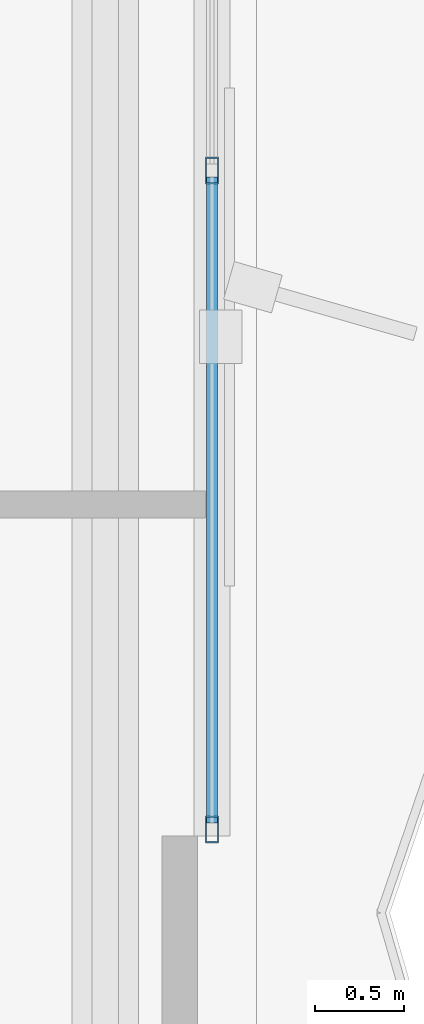
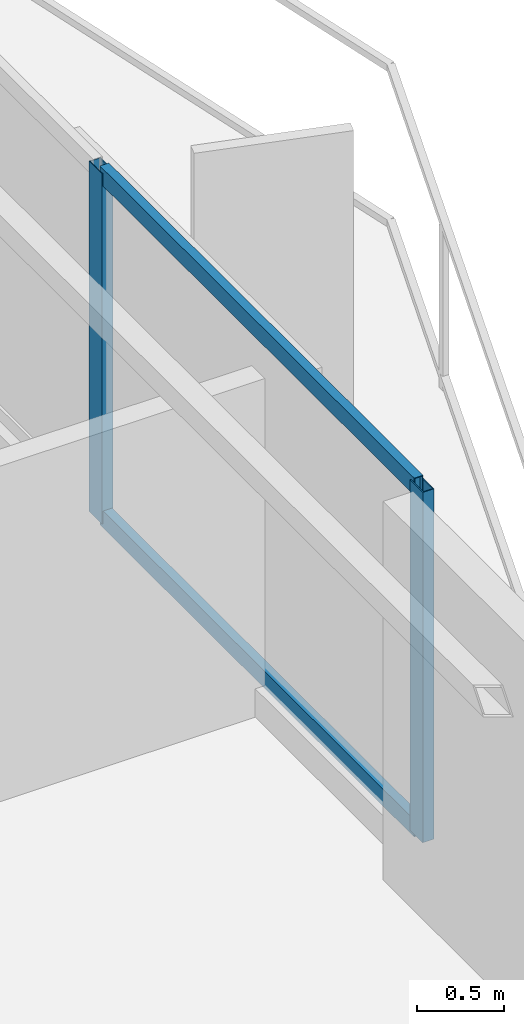
# One storey, part 8 of 22: 4 members, 1 element without a shape of its own.
"""IFC4 building model written with IfcOpenShell, lengths in metres."""

from ifc_helpers import new_model, si_unit, direction, frame, origin, origin_2d, place, context, subcontext, project, spatial, hollow_rectangle, extrude, material, layer, layer_set, material_profile, profile_set, type_object, element, aggregate, save


model = new_model("IFC4")

# Units and contexts
model_context = context("Model", 3, precision=1e-05, world=origin(), true_north=direction((0.0, 1.0)))
body_context = subcontext(model_context, "Body", "Model", "MODEL_VIEW")
ifc_project = project(units=[si_unit("LENGTHUNIT", "METRE"), si_unit("AREAUNIT", "SQUARE_METRE"), si_unit("VOLUMEUNIT", "CUBIC_METRE"), si_unit("PLANEANGLEUNIT", "RADIAN"), si_unit("MASSUNIT", "GRAM", prefix="KILO")], contexts=[model_context])

# Site, building, storey
site_placement = place(None, origin())
site = spatial("IfcSite", under=ifc_project, at=site_placement, CompositionType="ELEMENT")
building_placement = place(site_placement, origin())
building = spatial("IfcBuilding", under=site, at=building_placement, Name="Mersakhor Tower and Convention Hall", CompositionType="ELEMENT")
storey_placement = place(building_placement, frame((0.0, 0.0, 86.699951171875)))
storey = spatial("IfcBuildingStorey", under=building, at=storey_placement, Name="L23", CompositionType="ELEMENT", Elevation=86.699951171875)

# Curtain wall, members
ifc_material_1 = material(Name="Dark solar low-E aluminium curtain wall", Category="aluminium")
ifc_layer = layer(ifc_material_1, 0.159912109375)
ifc_layer_set = layer_set([ifc_layer], Name="Dark solar low-E aluminium curtain wall")
curtain_wall_type = type_object("IfcCurtainWallType", Name="CW-SYS-01", PredefinedType="USERDEFINED", material=ifc_layer_set)
curtain_wall_placement = place(storey_placement, origin())
curtain_wall = element("IfcCurtainWall", 1, at=curtain_wall_placement, inside=storey, type_object=curtain_wall_type, Name="L23 Dark-Glass Curtain Wall F2-B2", ObjectType="CURTAIN WALL", PredefinedType="USERDEFINED")
ifc_material_2 = material(Name="Anodised aluminium EN AW-6063 T6", Category="aluminium")
ifc_material_profile_1 = material_profile(ifc_material_2, hollow_rectangle(XDim=0.074951171875, YDim=0.14990234375, WallThickness=0.00634765625, at=origin_2d()), Name="RHS 150x75x6.3")
ifc_profile_set_1 = profile_set([ifc_material_profile_1], Name="Anodised aluminium EN AW-6063 T6")
member_type_1 = type_object("IfcMemberType", Name="CWM-150x75", PredefinedType="MULLION", material=ifc_profile_set_1)
member_1_placement = place(storey_placement, frame((43.03466796875, 24.87841796875, 0.199951171875), z_axis=(0.0, 0.0, 1.0), x_axis=(1.0, 0.0, 0.0)))
member_1 = element("IfcMember", 2, at=member_1_placement, type_object=member_type_1, Name="CW-01 mullion 3", PredefinedType="MULLION", context=body_context, shape_type="SweptSolid", body=[
    extrude(hollow_rectangle(XDim=0.074951171875, YDim=0.14990234375, WallThickness=0.00634765625, at=origin_2d()), origin(), (0.0, 0.0, 1.0), 2.47021484375),
])
member_2_placement = place(storey_placement, frame((43.03466796875, 21.172607421875, 0.199951171875), z_axis=(0.0, 0.0, 1.0), x_axis=(1.0, 0.0, 0.0)))
member_2 = element("IfcMember", 3, at=member_2_placement, type_object=member_type_1, Name="CW-01 mullion 4", PredefinedType="MULLION", context=body_context, shape_type="SweptSolid", body=[
    extrude(hollow_rectangle(XDim=0.074951171875, YDim=0.14990234375, WallThickness=0.00634765625, at=origin_2d()), origin(), (0.0, 0.0, 1.0), 2.47021484375),
])
ifc_material_3 = material(Name="Anodised aluminium EN AW-6063 T6", Category="aluminium")
ifc_material_profile_2 = material_profile(ifc_material_3, hollow_rectangle(XDim=0.06005859375, YDim=0.1201171875, WallThickness=0.0048828125, at=origin_2d()), Name="RHS 120x60x5")
ifc_profile_set_2 = profile_set([ifc_material_profile_2], Name="Anodised aluminium EN AW-6063 T6")
member_type_2 = type_object("IfcMemberType", Name="CWT-120x60", PredefinedType="USERDEFINED", material=ifc_profile_set_2)
member_3_placement = place(storey_placement, frame((43.03466796875, 24.8408203125, 0.22998046875), z_axis=(0.0, -1.0, 0.0), x_axis=(1.0, 0.0, 0.0)))
member_3 = element("IfcMember", 4, at=member_3_placement, type_object=member_type_2, Name="CW-01 transom 3.1", ObjectType="TRANSOM", PredefinedType="USERDEFINED", context=body_context, shape_type="SweptSolid", body=[
    extrude(hollow_rectangle(XDim=0.06005859375, YDim=0.1201171875, WallThickness=0.0048828125, at=origin_2d()), origin(), (0.0, 0.0, 1.0), 3.630615234375),
])
member_4_placement = place(storey_placement, frame((43.03466796875, 24.8408203125, 2.64013671875), z_axis=(0.0, -1.0, 0.0), x_axis=(1.0, 0.0, 0.0)))
member_4 = element("IfcMember", 5, at=member_4_placement, type_object=member_type_2, Name="CW-01 transom 3.2", ObjectType="TRANSOM", PredefinedType="USERDEFINED", context=body_context, shape_type="SweptSolid", body=[
    extrude(hollow_rectangle(XDim=0.06005859375, YDim=0.1201171875, WallThickness=0.0048828125, at=origin_2d()), origin(), (0.0, 0.0, 1.0), 3.630615234375),
])
aggregate(curtain_wall, [member_1, member_2, member_3, member_4])

save(model, "model.ifc")
